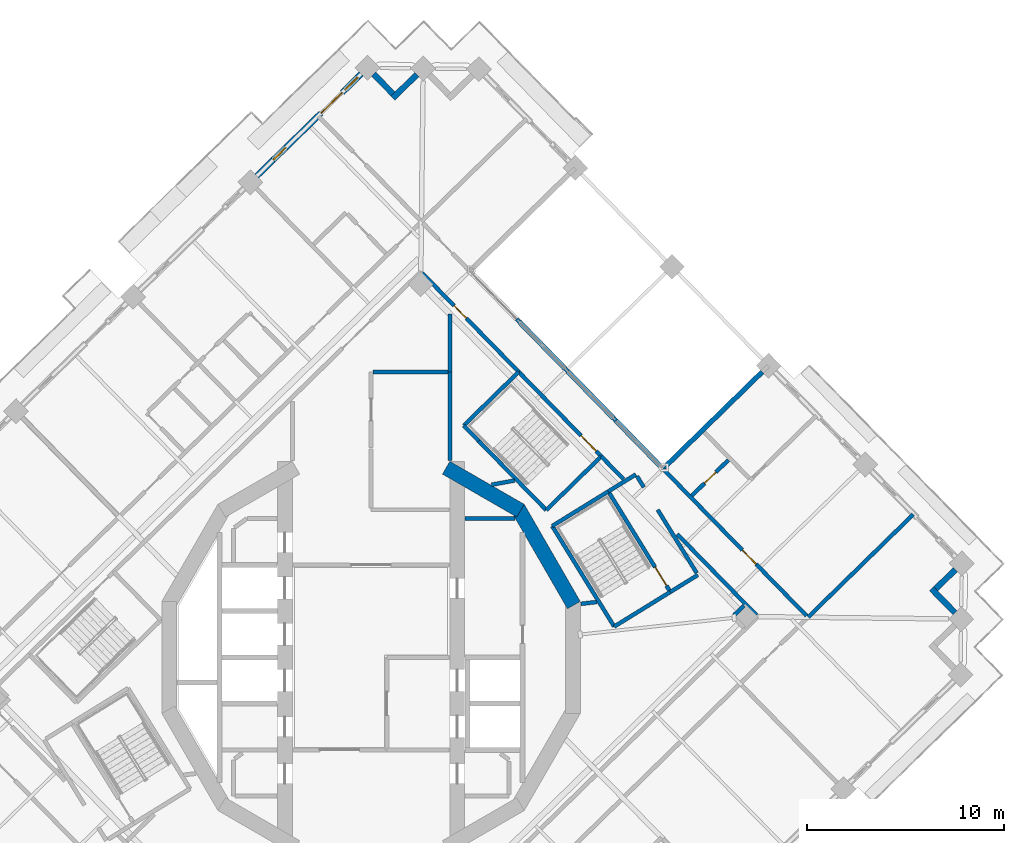
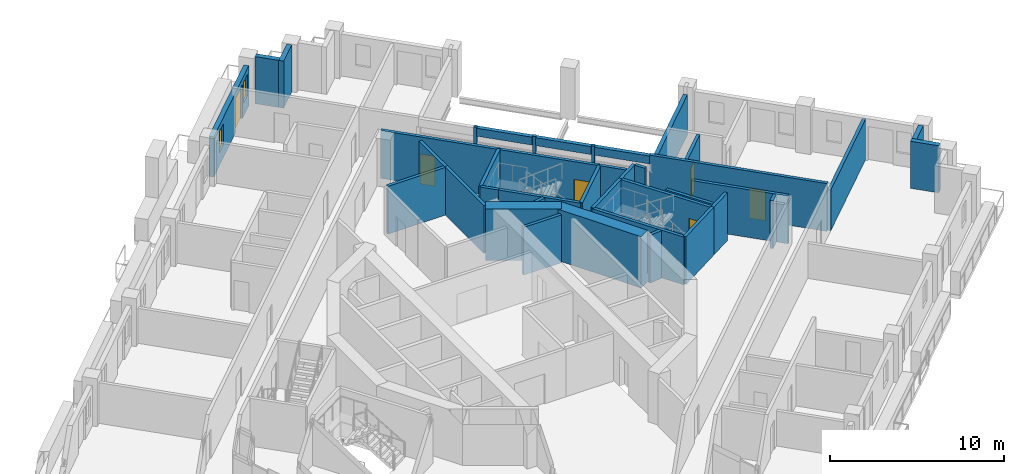
# One storey, part 12 of 20: 40 walls, 6 doors, 2 windows, 8 openings.
"""IFC4 building model written with IfcOpenShell, lengths in metres."""

from ifc_helpers import new_model, si_unit, direction, frame, frame_2d, origin, place, context, subcontext, project, spatial, rectangle, extrude, material, layer, layer_set, type_object, element, fill, save


model = new_model("IFC4")

# Units and contexts
model_context = context("Model", 3, precision=1e-05, world=origin(), true_north=direction((0.0, 1.0)))
body_context = subcontext(model_context, "Body", "Model", "MODEL_VIEW")
ifc_project = project(units=[si_unit("LENGTHUNIT", "METRE"), si_unit("AREAUNIT", "SQUARE_METRE"), si_unit("VOLUMEUNIT", "CUBIC_METRE"), si_unit("PLANEANGLEUNIT", "RADIAN"), si_unit("MASSUNIT", "GRAM", prefix="KILO")], contexts=[model_context])

# Site, building, storey
site_placement = place(None, origin())
site = spatial("IfcSite", under=ifc_project, at=site_placement, CompositionType="ELEMENT")
building_placement = place(site_placement, origin())
building = spatial("IfcBuilding", under=site, at=building_placement, Name="Cantera Rosa Tower", CompositionType="ELEMENT")
storey_placement = place(building_placement, frame((0.0, 0.0, 212.60009765625)))
storey = spatial("IfcBuildingStorey", under=building, at=storey_placement, Name="L45", CompositionType="ELEMENT", Elevation=212.60009765625)

# Walls
ifc_material_1 = material(Name="Gypsum board partition")
ifc_layer_1 = layer(ifc_material_1, 0.199951171875)
ifc_layer_set_1 = layer_set([ifc_layer_1], Name="CORRIDOR WALL 200 H2300")
wall_type_1 = type_object("IfcWallType", Name="CORRIDOR WALL 200 H2300", PredefinedType="PARTITIONING", material=ifc_layer_set_1)
wall_1_placement = place(storey_placement, frame((16.53759765625, 4.291748046875, 0.0), z_axis=(0.0, 0.0, 1.0), x_axis=(-0.524978610061, 0.85111542048, 0.0)))
element("IfcWall", 1, at=wall_1_placement, inside=storey, type_object=wall_type_1, Name="CORRIDOR WALL L45-116", PredefinedType="PARTITIONING", context=body_context, shape_type="SweptSolid", body=[
    extrude(rectangle(XDim=3.7705078125, YDim=0.199951171875, at=frame_2d((1.88525390625, 0.0))), origin(), (0.0, 0.0, 1.0), 2.2998046875),
])
ifc_material_2 = material(Name="Gypsum board partition")
ifc_layer_2 = layer(ifc_material_2, 0.199951171875)
ifc_layer_set_2 = layer_set([ifc_layer_2], Name="CORRIDOR WALL 200 H3350")
wall_type_2 = type_object("IfcWallType", Name="CORRIDOR WALL 200 H3350", PredefinedType="PARTITIONING", material=ifc_layer_set_2)
wall_2_placement = place(storey_placement, frame((3.89990234375, 14.5, 0.0), z_axis=(0.0, 0.0, 1.0), x_axis=(-1.0, 0.0, 0.0)))
element("IfcWall", 2, at=wall_2_placement, inside=storey, type_object=wall_type_2, Name="CORRIDOR WALL L45-080", PredefinedType="PARTITIONING", context=body_context, shape_type="SweptSolid", body=[
    extrude(rectangle(XDim=3.7998046875, YDim=0.199951171875, at=frame_2d((1.89990234375, 0.0))), origin(), (0.0, 0.0, 1.0), 3.349853515625),
])
wall_3_placement = place(storey_placement, frame((4.0, 14.5, 0.0), z_axis=(0.0, 0.0, 1.0), x_axis=(0.0, 1.0, 0.0)))
element("IfcWall", 3, at=wall_3_placement, inside=storey, type_object=wall_type_2, Name="CORRIDOR WALL L45-081", PredefinedType="PARTITIONING", context=body_context, shape_type="SweptSolid", body=[
    extrude(rectangle(XDim=2.94189453125, YDim=0.199951171875, at=frame_2d((1.470947265625, 0.0))), origin(), (0.0, 0.0, 1.0), 3.349853515625),
])

# Wall, opening, door
wall_4_placement = place(storey_placement, frame((7.498779296875, 14.50439453125, 0.0), z_axis=(0.0, 0.0, 1.0), x_axis=(-0.69881117118, 0.715306191106, 0.0)))
wall_4 = element("IfcWall", 4, at=wall_4_placement, inside=storey, type_object=wall_type_2, Name="CORRIDOR WALL L45-093", PredefinedType="PARTITIONING", context=body_context, shape_type="SweptSolid", body=[
    extrude(rectangle(XDim=7.015625, YDim=0.199951171875, at=frame_2d((3.5078125, 0.0))), origin(), (0.0, 0.0, 1.0), 3.349853515625),
])
opening_1_placement = place(wall_4_placement, frame((3.8056640625, 0.0, 0.0)))
opening_1 = element("IfcOpeningElement", 5, at=opening_1_placement, cuts=wall_4, Name="Opening L45-007", PredefinedType="OPENING", context=body_context, shape_type="SweptSolid", body=[
    extrude(rectangle(XDim=0.89990234375, YDim=2.10009765625, at=frame_2d((0.449951171875, 1.050048828125))), frame((0.0, 0.10986328125, 0.0), z_axis=(0.0, -1.0, 0.0), x_axis=(1.0, 0.0, 0.0)), (0.0, 0.0, 1.0), 0.219970703125),
])
ifc_material_3 = material(Name="Timber door leaf", Category="wood")
door_type_1 = type_object("IfcDoorType", Name="SERVICE DOOR 900x2100", OperationType="NOTDEFINED", PredefinedType="DOOR", material=ifc_material_3)
door_1_placement = place(opening_1_placement, origin())
door_1 = element("IfcDoor", 6, at=door_1_placement, inside=storey, type_object=door_type_1, Name="DOOR L45-007", OperationType="NOTDEFINED", OverallHeight=2.10009765625, OverallWidth=0.89990234375, PredefinedType="DOOR", context=body_context, shape_type="SweptSolid", body=[
    extrude(rectangle(XDim=0.89990234375, YDim=2.10009765625, at=frame_2d((0.449951171875, 1.050048828125))), frame((0.0, 0.02490234375, 0.0), z_axis=(0.0, -1.0, 0.0), x_axis=(1.0, 0.0, 0.0)), (0.0, 0.0, 1.0), 0.050048828125),
])
fill(opening_1, door_1)

# Walls
wall_5_placement = place(storey_placement, frame((12.05078125, 8.4326171875, 0.0), z_axis=(0.0, 0.0, 1.0), x_axis=(0.851076929832, 0.525041007453, 0.0)))
element("IfcWall", 7, at=wall_5_placement, inside=storey, type_object=wall_type_2, Name="CORRIDOR WALL L45-108", PredefinedType="PARTITIONING", context=body_context, shape_type="SweptSolid", body=[
    extrude(rectangle(XDim=1.645263671875, YDim=0.199951171875, at=frame_2d((0.82275390625, 0.0))), origin(), (0.0, 0.0, 1.0), 3.349853515625),
])
wall_6_placement = place(storey_placement, frame((12.828125, 9.0498046875, 0.0), z_axis=(0.0, 0.0, 1.0), x_axis=(-0.698800279723, 0.715316831242, 0.0)))
element("IfcWall", 8, at=wall_6_placement, inside=storey, type_object=wall_type_2, Name="CORRIDOR WALL L45-111", PredefinedType="PARTITIONING", context=body_context, shape_type="SweptSolid", body=[
    extrude(rectangle(XDim=1.6259765625, YDim=0.199951171875, at=frame_2d((0.81298828125, 0.0))), origin(), (0.0, 0.0, 1.0), 3.349853515625),
])
wall_7_placement = place(storey_placement, frame((15.20068359375, 3.325927734375, 0.0), z_axis=(0.0, 0.0, 1.0), x_axis=(0.8510360128, 0.525107327047, 0.0)))
element("IfcWall", 9, at=wall_7_placement, inside=storey, type_object=wall_type_2, Name="CORRIDOR WALL L45-115", PredefinedType="PARTITIONING", context=body_context, shape_type="SweptSolid", body=[
    extrude(rectangle(XDim=1.64501953125, YDim=0.199951171875, at=frame_2d((0.822509765625, 0.0))), origin(), (0.0, 0.0, 1.0), 3.349853515625),
])
wall_8_placement = place(storey_placement, frame((13.8525390625, 8.64501953125, 0.0), z_axis=(0.0, 0.0, 1.0), x_axis=(-0.52487540685, 0.851179068871, 0.0)))
element("IfcWall", 10, at=wall_8_placement, inside=storey, type_object=wall_type_2, Name="CORRIDOR WALL L45-117", PredefinedType="PARTITIONING", context=body_context, shape_type="SweptSolid", body=[
    extrude(rectangle(XDim=0.6650390625, YDim=0.199951171875, at=frame_2d((0.33251953125, 0.0))), origin(), (0.0, 0.0, 1.0), 3.349853515625),
])
wall_9_placement = place(storey_placement, frame((19.57763671875, 2.14111328125, 0.0), z_axis=(0.0, 0.0, 1.0), x_axis=(-0.698829155251, 0.715288621307, 0.0)))
element("IfcWall", 11, at=wall_9_placement, inside=storey, type_object=wall_type_2, Name="CORRIDOR WALL L45-123", PredefinedType="PARTITIONING", context=body_context, shape_type="SweptSolid", body=[
    extrude(rectangle(XDim=5.77001953125, YDim=0.199951171875, at=frame_2d((2.885009765625, 0.0))), origin(), (0.0, 0.0, 1.0), 3.349853515625),
])

# Wall, opening, door
wall_10_placement = place(storey_placement, frame((22.123291015625, 2.111572265625, 0.0), z_axis=(0.0, 0.0, 1.0), x_axis=(-0.698844025454, 0.715274092979, 0.0)))
wall_10 = element("IfcWall", 12, at=wall_10_placement, inside=storey, type_object=wall_type_2, Name="CORRIDOR WALL L45-124", PredefinedType="PARTITIONING", context=body_context, shape_type="SweptSolid", body=[
    extrude(rectangle(XDim=10.56494140625, YDim=0.199951171875, at=frame_2d((5.282470703125, 0.0))), origin(), (0.0, 0.0, 1.0), 3.349853515625),
])
opening_2_placement = place(wall_10_placement, frame((3.669921875, 0.0, 0.0)))
opening_2 = element("IfcOpeningElement", 13, at=opening_2_placement, cuts=wall_10, Name="Opening L45-023", PredefinedType="OPENING", context=body_context, shape_type="SweptSolid", body=[
    extrude(rectangle(XDim=1.0, YDim=2.10009765625, at=frame_2d((0.5, 1.050048828125))), frame((0.0, 0.10986328125, 0.0), z_axis=(0.0, -1.0, 0.0), x_axis=(1.0, 0.0, 0.0)), (0.0, 0.0, 1.0), 0.219970703125),
])
ifc_material_4 = material(Name="Timber door leaf", Category="wood")
door_type_2 = type_object("IfcDoorType", Name="ENTRANCE DOOR 1000x2100", OperationType="NOTDEFINED", PredefinedType="DOOR", material=ifc_material_4)
door_2_placement = place(opening_2_placement, origin())
door_2 = element("IfcDoor", 14, at=door_2_placement, inside=storey, type_object=door_type_2, Name="DOOR L45-023", OperationType="NOTDEFINED", OverallHeight=2.10009765625, OverallWidth=1.0, PredefinedType="DOOR", context=body_context, shape_type="SweptSolid", body=[
    extrude(rectangle(XDim=1.0, YDim=2.10009765625, at=frame_2d((0.5, 1.050048828125))), frame((0.0, 0.02490234375, 0.0), z_axis=(0.0, -1.0, 0.0), x_axis=(1.0, 0.0, 0.0)), (0.0, 0.0, 1.0), 0.050048828125),
])
fill(opening_2, door_2)

# Walls
wall_11_placement = place(storey_placement, frame((12.442138671875, 12.0205078125, 0.0), z_axis=(0.0, 0.0, 1.0), x_axis=(-0.698874391949, 0.715244422752, 0.0)))
element("IfcWall", 15, at=wall_11_placement, inside=storey, type_object=wall_type_2, Name="CORRIDOR WALL L45-125", PredefinedType="PARTITIONING", context=body_context, shape_type="SweptSolid", body=[
    extrude(rectangle(XDim=0.19384765625, YDim=0.199951171875, at=frame_2d((0.096923828125, 0.0))), origin(), (0.0, 0.0, 1.0), 3.349853515625),
])
wall_12_placement = place(storey_placement, frame((9.993408203125, 14.52685546875, 0.0), z_axis=(0.0, 0.0, 1.0), x_axis=(-0.698753642913, 0.715362388245, 0.0)))
element("IfcWall", 16, at=wall_12_placement, inside=storey, type_object=wall_type_2, Name="CORRIDOR WALL L45-126", PredefinedType="PARTITIONING", context=body_context, shape_type="SweptSolid", body=[
    extrude(rectangle(XDim=0.205810546875, YDim=0.199951171875, at=frame_2d((0.10302734375, 0.0))), origin(), (0.0, 0.0, 1.0), 3.349853515625),
])
wall_13_placement = place(storey_placement, frame((7.536376953125, 17.041748046875, 0.0), z_axis=(0.0, 0.0, 1.0), x_axis=(-0.698874391949, 0.715244422752, 0.0)))
element("IfcWall", 17, at=wall_13_placement, inside=storey, type_object=wall_type_2, Name="CORRIDOR WALL L45-127", PredefinedType="PARTITIONING", context=body_context, shape_type="SweptSolid", body=[
    extrude(rectangle(XDim=0.19384765625, YDim=0.199951171875, at=frame_2d((0.096923828125, 0.0))), origin(), (0.0, 0.0, 1.0), 3.349853515625),
])
ifc_material_5 = material(Name="Hollow clay masonry with cantera stone cladding", Category="masonry")
ifc_layer_3 = layer(ifc_material_5, 0.300048828125)
ifc_layer_set_3 = layer_set([ifc_layer_3], Name="EW-LOGGIA 300")
wall_type_3 = type_object("IfcWallType", Name="EW-LOGGIA 300", PredefinedType="SOLIDWALL", material=ifc_layer_set_3)
wall_14_placement = place(storey_placement, frame((2.324462890625, 29.602783203125, 0.0), z_axis=(0.0, 0.0, 1.0), x_axis=(-0.715316077832, -0.69880105094, 0.0)))
element("IfcWall", 18, at=wall_14_placement, inside=storey, type_object=wall_type_3, Name="EN-L45-W06a", PredefinedType="SOLIDWALL", context=body_context, shape_type="SweptSolid", body=[
    extrude(rectangle(XDim=1.699951171875, YDim=0.300048828125, at=frame_2d((0.85009765625, 0.0))), origin(), (0.0, 0.0, 1.0), 3.2998046875),
])
wall_15_placement = place(storey_placement, frame((1.111083984375, 28.626953125, 0.0), z_axis=(0.0, 0.0, 1.0), x_axis=(-0.698951192766, 0.71516937164, 0.0)))
element("IfcWall", 19, at=wall_15_placement, inside=storey, type_object=wall_type_3, Name="EN-L45-W06b", PredefinedType="SOLIDWALL", context=body_context, shape_type="SweptSolid", body=[
    extrude(rectangle(XDim=1.39990234375, YDim=0.300048828125, at=frame_2d((0.699951171875, 0.0))), origin(), (0.0, 0.0, 1.0), 3.2998046875),
])
wall_16_placement = place(storey_placement, frame((29.65625, 2.271484375, 0.0), z_axis=(0.0, 0.0, 1.0), x_axis=(-0.698872839675, 0.715245939495, 0.0)))
element("IfcWall", 20, at=wall_16_placement, inside=storey, type_object=wall_type_3, Name="EN-L45-W27a", PredefinedType="SOLIDWALL", context=body_context, shape_type="SweptSolid", body=[
    extrude(rectangle(XDim=1.699951171875, YDim=0.300048828125, at=frame_2d((0.85009765625, 0.0))), origin(), (0.0, 0.0, 1.0), 3.2998046875),
])
wall_17_placement = place(storey_placement, frame((28.680419921875, 3.48486328125, 0.0), z_axis=(0.0, 0.0, 1.0), x_axis=(0.71516937164, 0.698951192766, 0.0)))
element("IfcWall", 21, at=wall_17_placement, inside=storey, type_object=wall_type_3, Name="EN-L45-W27b", PredefinedType="SOLIDWALL", context=body_context, shape_type="SweptSolid", body=[
    extrude(rectangle(XDim=1.39990234375, YDim=0.300048828125, at=frame_2d((0.699951171875, 0.0))), origin(), (0.0, 0.0, 1.0), 3.2998046875),
])

# Wall, openings, windows, door
ifc_material_6 = material(Name="Hollow clay masonry with cantera stone cladding", Category="masonry")
ifc_layer_4 = layer(ifc_material_6, 0.300048828125)
ifc_layer_set_4 = layer_set([ifc_layer_4], Name="EW-LOGGIA 300 H2820")
wall_type_4 = type_object("IfcWallType", Name="EW-LOGGIA 300 H2820", PredefinedType="SOLIDWALL", material=ifc_layer_set_4)
wall_18_placement = place(storey_placement, frame((-0.503662109375, 29.6357421875, 0.0), z_axis=(0.0, 0.0, 1.0), x_axis=(-0.715284379566, -0.698833496871, 0.0)))
wall_18 = element("IfcWall", 22, at=wall_18_placement, inside=storey, type_object=wall_type_4, Name="EN-L45-W07", PredefinedType="SOLIDWALL", context=body_context, shape_type="SweptSolid", body=[
    extrude(rectangle(XDim=7.42041015625, YDim=0.300048828125, at=frame_2d((3.710205078125, 0.0))), origin(), (0.0, 0.0, 1.0), 2.81982421875),
])
opening_3_placement = place(wall_18_placement, frame((0.25, 0.0, 0.89990234375)))
opening_3 = element("IfcOpeningElement", 23, at=opening_3_placement, cuts=wall_18, Name="Opening L45-W07", PredefinedType="OPENING", context=body_context, shape_type="SweptSolid", body=[
    extrude(rectangle(XDim=0.89990234375, YDim=1.5, at=frame_2d((0.449951171875, 0.75))), frame((0.0, 0.159912109375, 0.0), z_axis=(0.0, -1.0, 0.0), x_axis=(1.0, 0.0, 0.0)), (0.0, 0.0, 1.0), 0.320068359375),
])
opening_4_placement = place(wall_18_placement, frame((1.35009765625, 0.0, 0.0)))
opening_4 = element("IfcOpeningElement", 24, at=opening_4_placement, cuts=wall_18, Name="Opening L45-TD08", PredefinedType="OPENING", context=body_context, shape_type="SweptSolid", body=[
    extrude(rectangle(XDim=1.5, YDim=2.39990234375, at=frame_2d((0.75, 1.199951171875))), frame((0.0, 0.159912109375, 0.0), z_axis=(0.0, -1.0, 0.0), x_axis=(1.0, 0.0, 0.0)), (0.0, 0.0, 1.0), 0.320068359375),
])
opening_5_placement = place(wall_18_placement, frame((5.340087890625, 0.0, 0.89990234375)))
opening_5 = element("IfcOpeningElement", 25, at=opening_5_placement, cuts=wall_18, Name="Opening L45-W09", PredefinedType="OPENING", context=body_context, shape_type="SweptSolid", body=[
    extrude(rectangle(XDim=0.89990234375, YDim=1.5, at=frame_2d((0.449951171875, 0.75))), frame((0.0, 0.159912109375, 0.0), z_axis=(0.0, -1.0, 0.0), x_axis=(1.0, 0.0, 0.0)), (0.0, 0.0, 1.0), 0.320068359375),
])
ifc_material_7 = material(Name="Aluminium frame with clear glass", Category="aluminium")
window_type = type_object("IfcWindowType", Name="Residential window 900x1500", PartitioningType="SINGLE_PANEL", PredefinedType="WINDOW", material=ifc_material_7)
window_1_placement = place(opening_3_placement, origin())
window_1 = element("IfcWindow", 26, at=window_1_placement, inside=storey, type_object=window_type, Name="WINDOW L45-W07", OverallHeight=1.5, OverallWidth=0.89990234375, PartitioningType="SINGLE_PANEL", PredefinedType="WINDOW", context=body_context, shape_type="SweptSolid", body=[
    extrude(rectangle(XDim=0.89990234375, YDim=1.5, at=frame_2d((0.449951171875, 0.75))), frame((0.0, 0.030029296875, 0.0), z_axis=(0.0, -1.0, 0.0), x_axis=(1.0, 0.0, 0.0)), (0.0, 0.0, 1.0), 0.06005859375),
])
fill(opening_3, window_1)
window_2_placement = place(opening_5_placement, origin())
window_2 = element("IfcWindow", 27, at=window_2_placement, inside=storey, type_object=window_type, Name="WINDOW L45-W09", OverallHeight=1.5, OverallWidth=0.89990234375, PartitioningType="SINGLE_PANEL", PredefinedType="WINDOW", context=body_context, shape_type="SweptSolid", body=[
    extrude(rectangle(XDim=0.89990234375, YDim=1.5, at=frame_2d((0.449951171875, 0.75))), frame((0.0, 0.030029296875, 0.0), z_axis=(0.0, -1.0, 0.0), x_axis=(1.0, 0.0, 0.0)), (0.0, 0.0, 1.0), 0.06005859375),
])
fill(opening_5, window_2)
ifc_material_8 = material(Name="Aluminium frame with clear glass", Category="aluminium")
door_type_3 = type_object("IfcDoorType", Name="TD-R 1500x2400", OperationType="NOTDEFINED", PredefinedType="DOOR", material=ifc_material_8)
door_3_placement = place(opening_4_placement, origin())
door_3 = element("IfcDoor", 28, at=door_3_placement, inside=storey, type_object=door_type_3, Name="LOGGIA DOOR L45-TD08", OperationType="SLIDING_TO_LEFT", OverallHeight=2.39990234375, OverallWidth=1.5, PredefinedType="DOOR", context=body_context, shape_type="SweptSolid", body=[
    extrude(rectangle(XDim=1.5, YDim=2.39990234375, at=frame_2d((0.75, 1.199951171875))), frame((0.0, 0.02490234375, 0.0), z_axis=(0.0, -1.0, 0.0), x_axis=(1.0, 0.0, 0.0)), (0.0, 0.0, 1.0), 0.050048828125),
])
fill(opening_4, door_3)

# Walls
ifc_material_9 = material(Name="Concrete C40/50", Category="concrete")
ifc_layer_5 = layer(ifc_material_9, 0.25)
ifc_layer_set_5 = layer_set([ifc_layer_5], Name="EW-POCKET CHEEK 250 H2820")
wall_type_5 = type_object("IfcWallType", Name="EW-POCKET CHEEK 250 H2820", PredefinedType="SOLIDWALL", material=ifc_layer_set_5)
wall_19_placement = place(storey_placement, frame((19.8701171875, 14.505859375, 0.0), z_axis=(0.0, 0.0, 1.0), x_axis=(-0.715278984135, -0.69883901927, 0.0)))
element("IfcWall", 29, at=wall_19_placement, inside=storey, type_object=wall_type_5, Name="POCKET CHEEK A L45", PredefinedType="SOLIDWALL", context=body_context, shape_type="SweptSolid", body=[
    extrude(rectangle(XDim=6.949951171875, YDim=0.25, at=frame_2d((3.47509765625, 0.0))), origin(), (0.0, 0.0, 1.0), 2.81982421875),
])
ifc_material_10 = material(Name="Hollow clay masonry with cantera stone cladding", Category="masonry")
ifc_layer_6 = layer(ifc_material_10, 0.25)
ifc_layer_set_6 = layer_set([ifc_layer_6], Name="EW-POCKET REAR 250")
wall_type_6 = type_object("IfcWallType", Name="EW-POCKET REAR 250", PredefinedType="SOLIDWALL", material=ifc_layer_set_6)
wall_20_placement = place(storey_placement, frame((14.739990234375, 9.66845703125, 2.741943359375), z_axis=(0.0, 0.0, 1.0), x_axis=(-0.698817281293, 0.715300221842, 0.0)))
element("IfcWall", 30, at=wall_20_placement, inside=storey, type_object=wall_type_6, Name="POCKET SPANDREL L45-1", PredefinedType="SOLIDWALL", context=body_context, shape_type="SweptSolid", body=[
    extrude(rectangle(XDim=3.2880859375, YDim=0.25, at=frame_2d((1.64404296875, 0.0))), origin(), (0.0, 0.0, 1.0), 0.557861328125),
])
for number, where, z_axis, x_axis, name in (
    (31, (12.306640625, 12.1591796875, 2.741943359375), (0.0, 0.0, 1.0), (-0.698797459432, 0.715319586402, 0.0), "POCKET SPANDREL L45-2"),
    (32, (9.849609375, 14.674072265625, 2.741943359375), (0.0, 0.0, 1.0), (-0.698835197929, 0.715282717627, 0.0), "POCKET SPANDREL L45-3"),
):
    element("IfcWall", number, at=place(storey_placement, frame(where, z_axis=z_axis, x_axis=x_axis)), inside=storey, type_object=wall_type_6, Name=name, PredefinedType="SOLIDWALL", context=body_context, shape_type="SweptSolid", body=[
        extrude(rectangle(XDim=3.31005859375, YDim=0.25, at=frame_2d((1.655029296875, 0.0))), origin(), (0.0, 0.0, 1.0), 0.557861328125),
    ])
ifc_material_11 = material(Name="Gypsum board partition")
ifc_layer_7 = layer(ifc_material_11, 0.199951171875)
ifc_layer_set_7 = layer_set([ifc_layer_7], Name="PARTITION 200 H3350")
wall_type_7 = type_object("IfcWallType", Name="PARTITION 200 H3350", PredefinedType="PARTITIONING", material=ifc_layer_set_7)
wall_21_placement = place(storey_placement, frame((4.0, 9.994140625, 0.0), z_axis=(0.0, 0.0, 1.0), x_axis=(0.0, 1.0, 0.0)))
element("IfcWall", 33, at=wall_21_placement, inside=storey, type_object=wall_type_7, Name="PARTITION L45-079", PredefinedType="PARTITIONING", context=body_context, shape_type="SweptSolid", body=[
    extrude(rectangle(XDim=4.505859375, YDim=0.199951171875, at=frame_2d((2.2529296875, 0.0))), origin(), (0.0, 0.0, 1.0), 3.349853515625),
])
wall_22_placement = place(storey_placement, frame((4.780029296875, 7.050048828125, 0.0), z_axis=(0.0, 0.0, 1.0), x_axis=(1.0, 0.0, 0.0)))
element("IfcWall", 34, at=wall_22_placement, inside=storey, type_object=wall_type_7, Name="PARTITION L45-084", PredefinedType="PARTITIONING", context=body_context, shape_type="SweptSolid", body=[
    extrude(rectangle(XDim=2.517822265625, YDim=0.199951171875, at=frame_2d((1.2587890625, 0.0))), origin(), (0.0, 0.0, 1.0), 3.349853515625),
])
wall_23_placement = place(storey_placement, frame((7.29052734375, 8.986083984375, 0.0), z_axis=(0.0, 0.0, 1.0), x_axis=(-0.983804366363, -0.179245554271, 0.0)))
element("IfcWall", 35, at=wall_23_placement, inside=storey, type_object=wall_type_7, Name="PARTITION L45-090", PredefinedType="PARTITIONING", context=body_context, shape_type="SweptSolid", body=[
    extrude(rectangle(XDim=1.193115234375, YDim=0.199951171875, at=frame_2d((0.5966796875, 0.0))), origin(), (0.0, 0.0, 1.0), 3.349853515625),
])
wall_24_placement = place(storey_placement, frame((10.6552734375, 2.720703125, 0.0), z_axis=(0.0, 0.0, 1.0), x_axis=(0.993258541439, 0.115920101187, 0.0)))
element("IfcWall", 36, at=wall_24_placement, inside=storey, type_object=wall_type_7, Name="PARTITION L45-104", PredefinedType="PARTITIONING", context=body_context, shape_type="SweptSolid", body=[
    extrude(rectangle(XDim=0.815185546875, YDim=0.199951171875, at=frame_2d((0.40771484375, 0.0))), origin(), (0.0, 0.0, 1.0), 3.349853515625),
])

# Wall, opening, door
wall_25_placement = place(storey_placement, frame((18.14208984375, 10.021484375, 0.0), z_axis=(0.0, 0.0, 1.0), x_axis=(-0.715337680074, -0.69877893748, 0.0)))
wall_25 = element("IfcWall", 37, at=wall_25_placement, inside=storey, type_object=wall_type_7, Name="PARTITION L45-119", PredefinedType="PARTITIONING", context=body_context, shape_type="SweptSolid", body=[
    extrude(rectangle(XDim=2.580078125, YDim=0.199951171875, at=frame_2d((1.2900390625, 0.0))), origin(), (0.0, 0.0, 1.0), 3.349853515625),
])
opening_6_placement = place(wall_25_placement, frame((0.8798828125, 0.0, 0.0)))
opening_6 = element("IfcOpeningElement", 38, at=opening_6_placement, cuts=wall_25, Name="Opening L45-024", PredefinedType="OPENING", context=body_context, shape_type="SweptSolid", body=[
    extrude(rectangle(XDim=0.800048828125, YDim=2.10009765625, at=frame_2d((0.39990234375, 1.050048828125))), frame((0.0, 0.10986328125, 0.0), z_axis=(0.0, -1.0, 0.0), x_axis=(1.0, 0.0, 0.0)), (0.0, 0.0, 1.0), 0.219970703125),
])
ifc_material_12 = material(Name="Timber door leaf", Category="wood")
door_type_4 = type_object("IfcDoorType", Name="BATHROOM DOOR 800x2100", OperationType="NOTDEFINED", PredefinedType="DOOR", material=ifc_material_12)
door_4_placement = place(opening_6_placement, origin())
door_4 = element("IfcDoor", 39, at=door_4_placement, inside=storey, type_object=door_type_4, Name="DOOR L45-024", OperationType="NOTDEFINED", OverallHeight=2.10009765625, OverallWidth=0.800048828125, PredefinedType="DOOR", context=body_context, shape_type="SweptSolid", body=[
    extrude(rectangle(XDim=0.800048828125, YDim=2.10009765625, at=frame_2d((0.39990234375, 1.050048828125))), frame((0.0, 0.02490234375, 0.0), z_axis=(0.0, -1.0, 0.0), x_axis=(1.0, 0.0, 0.0)), (0.0, 0.0, 1.0), 0.050048828125),
])
fill(opening_6, door_4)

# Walls
wall_26_placement = place(storey_placement, frame((18.932861328125, 2.62939453125, 0.0), z_axis=(0.0, 0.0, 1.0), x_axis=(-0.715493021556, -0.698619879552, 0.0)))
element("IfcWall", 40, at=wall_26_placement, inside=storey, type_object=wall_type_7, Name="PARTITION L45-122", PredefinedType="PARTITIONING", context=body_context, shape_type="SweptSolid", body=[
    extrude(rectangle(XDim=0.679931640625, YDim=0.199951171875, at=frame_2d((0.33984375, 0.0))), origin(), (0.0, 0.0, 1.0), 3.349853515625),
])
ifc_material_13 = material(Name="Gypsum board partition")
ifc_layer_8 = layer(ifc_material_13, 0.199951171875)
ifc_layer_set_8 = layer_set([ifc_layer_8], Name="PARTY WALL 200 H2850")
wall_type_8 = type_object("IfcWallType", Name="PARTY WALL 200 H2850", PredefinedType="PARTITIONING", material=ifc_layer_set_8)
wall_27_placement = place(storey_placement, frame((27.5361328125, 7.26025390625, 0.0), z_axis=(0.0, 0.0, 1.0), x_axis=(-0.715284364496, -0.698833512296, 0.0)))
element("IfcWall", 41, at=wall_27_placement, inside=storey, type_object=wall_type_8, Name="PARTY WALL L45-130", PredefinedType="PARTITIONING", context=body_context, shape_type="SweptSolid", body=[
    extrude(rectangle(XDim=7.449951171875, YDim=0.199951171875, at=frame_2d((3.72509765625, 0.0))), origin(), (0.0, 0.0, 1.0), 2.849853515625),
])
ifc_material_14 = material(Name="Concrete C60/75", Category="concrete")
ifc_layer_9 = layer(ifc_material_14, 0.75)
ifc_layer_set_9 = layer_set([ifc_layer_9], Name="RC CORE WALL 750 C60/75")
wall_type_9 = type_object("IfcWallType", Name="RC CORE WALL 750 C60/75", PredefinedType="SHEAR", material=ifc_layer_set_9)
wall_28_placement = place(storey_placement, frame((3.8125, 9.634765625, 0.0), z_axis=(0.0, 0.0, 1.0), x_axis=(0.866013176292, -0.50002117804, 0.0)))
element("IfcWall", 42, at=wall_28_placement, inside=storey, type_object=wall_type_9, Name="CW-E1 L45", PredefinedType="SHEAR", context=body_context, shape_type="SweptSolid", body=[
    extrude(rectangle(XDim=4.362548828125, YDim=0.75, at=frame_2d((2.18115234375, 0.0))), origin(), (0.0, 0.0, 1.0), 3.599853515625),
])
wall_29_placement = place(storey_placement, frame((7.453369140625, 7.590576171875, 0.0), z_axis=(0.0, 0.0, 1.0), x_axis=(0.500021842983, -0.866012792365, 0.0)))
element("IfcWall", 43, at=wall_29_placement, inside=storey, type_object=wall_type_9, Name="CW-E2 L45", PredefinedType="SHEAR", context=body_context, shape_type="SweptSolid", body=[
    extrude(rectangle(XDim=5.694091796875, YDim=0.75, at=frame_2d((2.84716796875, 0.0))), origin(), (0.0, 0.0, 1.0), 3.599853515625),
])
ifc_material_15 = material(Name="Concrete C50/60", Category="concrete")
ifc_layer_10 = layer(ifc_material_15, 0.199951171875)
ifc_layer_set_10 = layer_set([ifc_layer_10], Name="STAIR WALL 200 H3350")
wall_type_10 = type_object("IfcWallType", Name="STAIR WALL 200 H3350", PredefinedType="SOLIDWALL", material=ifc_layer_set_10)
wall_30_placement = place(storey_placement, frame((4.705322265625, 11.775390625, 0.0), z_axis=(0.0, 0.0, 1.0), x_axis=(0.698847807351, -0.715270397934, 0.0)))
element("IfcWall", 44, at=wall_30_placement, inside=storey, type_object=wall_type_10, Name="STAIR WALL L45-082", PredefinedType="SOLIDWALL", context=body_context, shape_type="SweptSolid", body=[
    extrude(rectangle(XDim=1.10009765625, YDim=0.199951171875, at=frame_2d((0.550048828125, 0.0))), origin(), (0.0, 0.0, 1.0), 3.349853515625),
])
wall_31_placement = place(storey_placement, frame((7.498779296875, 14.50439453125, 0.0), z_axis=(0.0, 0.0, 1.0), x_axis=(-0.715310770212, -0.698806483956, 0.0)))
element("IfcWall", 45, at=wall_31_placement, inside=storey, type_object=wall_type_10, Name="STAIR WALL L45-094", PredefinedType="SOLIDWALL", context=body_context, shape_type="SweptSolid", body=[
    extrude(rectangle(XDim=3.9052734375, YDim=0.199951171875, at=frame_2d((1.95263671875, 0.0))), origin(), (0.0, 0.0, 1.0), 3.349853515625),
])
wall_32_placement = place(storey_placement, frame((9.199462890625, 6.674072265625, 0.0), z_axis=(0.0, 0.0, 1.0), x_axis=(0.85113993661, 0.524938861495, 0.0)))
element("IfcWall", 46, at=wall_32_placement, inside=storey, type_object=wall_type_10, Name="STAIR WALL L45-100", PredefinedType="SOLIDWALL", context=body_context, shape_type="SweptSolid", body=[
    extrude(rectangle(XDim=3.35009765625, YDim=0.199951171875, at=frame_2d((1.675048828125, 0.0))), origin(), (0.0, 0.0, 1.0), 3.349853515625),
])
wall_33_placement = place(storey_placement, frame((9.199462890625, 6.674072265625, 0.0), z_axis=(0.0, 0.0, 1.0), x_axis=(0.524982543144, -0.851112994493, 0.0)))
element("IfcWall", 47, at=wall_33_placement, inside=storey, type_object=wall_type_10, Name="STAIR WALL L45-101", PredefinedType="SOLIDWALL", context=body_context, shape_type="SweptSolid", body=[
    extrude(rectangle(XDim=6.0, YDim=0.199951171875, at=frame_2d((3.0, 0.0))), origin(), (0.0, 0.0, 1.0), 3.349853515625),
])

# Wall, opening, door
wall_34_placement = place(storey_placement, frame((11.69189453125, 10.212890625, 0.0), z_axis=(0.0, 0.0, 1.0), x_axis=(-0.698860098963, 0.71525838833, 0.0)))
wall_34 = element("IfcWall", 48, at=wall_34_placement, inside=storey, type_object=wall_type_10, Name="STAIR WALL L45-105", PredefinedType="SOLIDWALL", context=body_context, shape_type="SweptSolid", body=[
    extrude(rectangle(XDim=6.0, YDim=0.199951171875, at=frame_2d((3.0, 0.0))), origin(), (0.0, 0.0, 1.0), 3.349853515625),
])
opening_7_placement = place(wall_34_placement, frame((0.375, 0.0, 0.0)))
opening_7 = element("IfcOpeningElement", 49, at=opening_7_placement, cuts=wall_34, Name="Opening L45-003", PredefinedType="OPENING", context=body_context, shape_type="SweptSolid", body=[
    extrude(rectangle(XDim=1.10009765625, YDim=2.10009765625, at=frame_2d((0.550048828125, 1.050048828125))), frame((0.0, 0.10986328125, 0.0), z_axis=(0.0, -1.0, 0.0), x_axis=(1.0, 0.0, 0.0)), (0.0, 0.0, 1.0), 0.219970703125),
])
ifc_material_16 = material(Name="Steel S355J2 (EN 10025-2)", Category="steel")
door_type_5 = type_object("IfcDoorType", Name="STAIR DOOR 1100x2100", OperationType="NOTDEFINED", PredefinedType="DOOR", material=ifc_material_16)
door_5_placement = place(opening_7_placement, origin())
door_5 = element("IfcDoor", 50, at=door_5_placement, inside=storey, type_object=door_type_5, Name="DOOR L45-003", OperationType="NOTDEFINED", OverallHeight=2.10009765625, OverallWidth=1.10009765625, PredefinedType="DOOR", context=body_context, shape_type="SweptSolid", body=[
    extrude(rectangle(XDim=1.10009765625, YDim=2.10009765625, at=frame_2d((0.550048828125, 1.050048828125))), frame((0.0, 0.02490234375, 0.0), z_axis=(0.0, -1.0, 0.0), x_axis=(1.0, 0.0, 0.0)), (0.0, 0.0, 1.0), 0.050048828125),
])
fill(opening_7, door_5)

# Wall
wall_35_placement = place(storey_placement, frame((11.69189453125, 10.212890625, 0.0), z_axis=(0.0, 0.0, 1.0), x_axis=(-0.715279521258, -0.698838469511, 0.0)))
element("IfcWall", 51, at=wall_35_placement, inside=storey, type_object=wall_type_10, Name="STAIR WALL L45-106", PredefinedType="SOLIDWALL", context=body_context, shape_type="SweptSolid", body=[
    extrude(rectangle(XDim=3.905517578125, YDim=0.199951171875, at=frame_2d((1.95263671875, 0.0))), origin(), (0.0, 0.0, 1.0), 3.349853515625),
])

# Wall, opening, door
wall_36_placement = place(storey_placement, frame((12.05078125, 8.4326171875, 0.0), z_axis=(0.0, 0.0, 1.0), x_axis=(0.524982543144, -0.851112994493, 0.0)))
wall_36 = element("IfcWall", 52, at=wall_36_placement, inside=storey, type_object=wall_type_10, Name="STAIR WALL L45-109", PredefinedType="SOLIDWALL", context=body_context, shape_type="SweptSolid", body=[
    extrude(rectangle(XDim=6.0, YDim=0.199951171875, at=frame_2d((3.0, 0.0))), origin(), (0.0, 0.0, 1.0), 3.349853515625),
])
opening_8_placement = place(wall_36_placement, frame((4.52490234375, 0.0, 0.0)))
opening_8 = element("IfcOpeningElement", 53, at=opening_8_placement, cuts=wall_36, Name="Opening L45-001", PredefinedType="OPENING", context=body_context, shape_type="SweptSolid", body=[
    extrude(rectangle(XDim=1.10009765625, YDim=2.10009765625, at=frame_2d((0.550048828125, 1.050048828125))), frame((0.0, 0.10986328125, 0.0), z_axis=(0.0, -1.0, 0.0), x_axis=(1.0, 0.0, 0.0)), (0.0, 0.0, 1.0), 0.219970703125),
])
door_6_placement = place(opening_8_placement, origin())
door_6 = element("IfcDoor", 54, at=door_6_placement, inside=storey, type_object=door_type_5, Name="DOOR L45-001", OperationType="NOTDEFINED", OverallHeight=2.10009765625, OverallWidth=1.10009765625, PredefinedType="DOOR", context=body_context, shape_type="SweptSolid", body=[
    extrude(rectangle(XDim=1.10009765625, YDim=2.10009765625, at=frame_2d((0.550048828125, 1.050048828125))), frame((0.0, 0.02490234375, 0.0), z_axis=(0.0, -1.0, 0.0), x_axis=(1.0, 0.0, 0.0)), (0.0, 0.0, 1.0), 0.050048828125),
])
fill(opening_8, door_6)

# Walls
wall_37_placement = place(storey_placement, frame((12.349365234375, 1.5673828125, 0.0), z_axis=(0.0, 0.0, 1.0), x_axis=(0.85113993661, 0.524938861495, 0.0)))
element("IfcWall", 55, at=wall_37_placement, inside=storey, type_object=wall_type_10, Name="STAIR WALL L45-110", PredefinedType="SOLIDWALL", context=body_context, shape_type="SweptSolid", body=[
    extrude(rectangle(XDim=3.35009765625, YDim=0.199951171875, at=frame_2d((1.675048828125, 0.0))), origin(), (0.0, 0.0, 1.0), 3.349853515625),
])
wall_38_placement = place(storey_placement, frame((5.47412109375, 10.988525390625, 0.0), z_axis=(0.0, 0.0, 1.0), x_axis=(0.698837952642, -0.715280026246, 0.0)))
element("IfcWall", 56, at=wall_38_placement, inside=storey, type_object=wall_type_10, Name="STAIR WALL L45-082 J", PredefinedType="SOLIDWALL", context=body_context, shape_type="SweptSolid", body=[
    extrude(rectangle(XDim=4.89990234375, YDim=0.199951171875, at=frame_2d((2.449951171875, 0.0))), origin(), (0.0, 0.0, 1.0), 3.349853515625),
])

save(model, "model.ifc")
